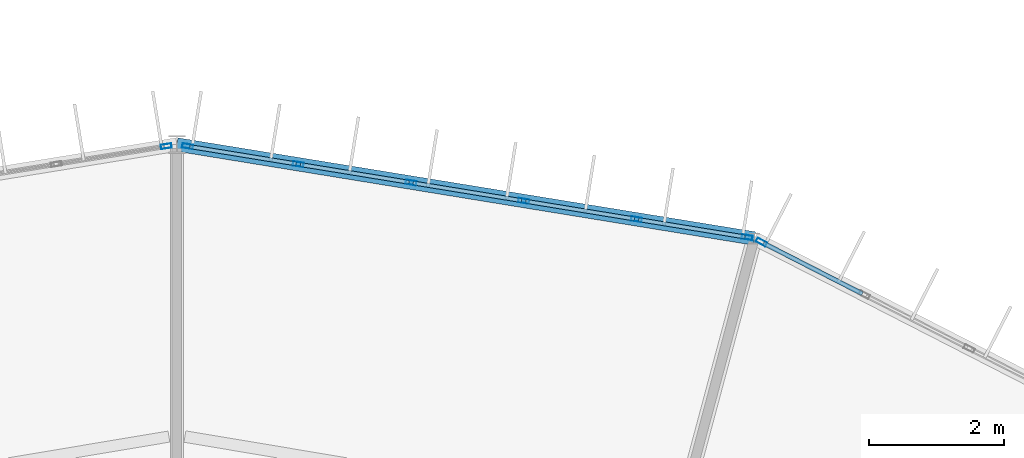
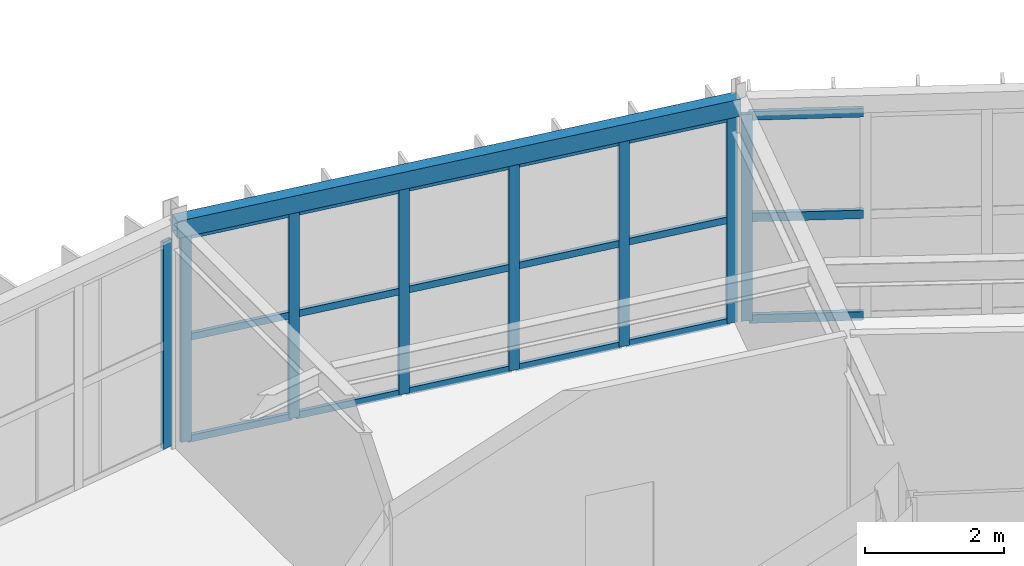
# One storey, part 82 of 134: 26 members, 1 beam, 3 elements without a shape of their own.
"""IFC4 building model written with IfcOpenShell, lengths in metres."""

import ifcopenshell
import ifcopenshell.guid

model = None  # the IFC model being written
_history = None  # IfcOwnerHistory: only IFC2X3 demands one
_inside = {}  # id of a spatial element -> (the spatial element, [elements in it])
_under = {}  # id of a project, library or spatial element -> (it, [spatial elements below it])
_declared = {}  # id of a project -> (the project, [libraries it declares])
_typed = {}  # id of a type object -> (the type object, [elements of that type])
_made_of = {}  # id of a material, layer set ... -> (it, [elements and type objects made of it])


def new_model(schema):
    """Start an empty IFC model of exactly this schema.

    Asked for "IFC4X3", IfcOpenShell would pick the latest addendum, in which some entities
    have other attributes; the version numbers below select the first issue.
    IFC2X3 requires an IfcOwnerHistory on every rooted entity: one is made here for all.
    """
    global model, _history
    if schema == "IFC4X3":
        model = ifcopenshell.file(schema_version=(4, 3, 0, 0))
    else:
        model = ifcopenshell.file(schema=schema)
    _inside.clear()
    _under.clear()
    _declared.clear()
    _typed.clear()
    _made_of.clear()
    _history = None
    if model.schema == "IFC2X3":
        org = make("IfcOrganization", Name="unknown")
        user = make(
            "IfcPersonAndOrganization",
            ThePerson=make("IfcPerson", FamilyName="unknown"),
            TheOrganization=org,
        )
        app = make(
            "IfcApplication",
            ApplicationDeveloper=org,
            Version="unknown",
            ApplicationFullName="unknown",
            ApplicationIdentifier="unknown",
        )
        _history = make(
            "IfcOwnerHistory",
            OwningUser=user,
            OwningApplication=app,
            ChangeAction="ADDED",
            CreationDate=0,
        )
    return model


def make(cls, **values):
    """One entity of the class cls with the attributes given. An attribute that is None is left unset."""
    return model.create_entity(
        cls, **{name: value for name, value in values.items() if value is not None}
    )


def rooted(cls, **values):
    """An entity with a GlobalId (a new one), such as an element, a storey or a relation."""
    return make(cls, GlobalId=ifcopenshell.guid.new(), OwnerHistory=_history, **values)


def si_unit(unit_type, name, prefix=None):
    """IfcSIUnit, for example si_unit("LENGTHUNIT", "METRE", prefix="MILLI")."""
    return make("IfcSIUnit", UnitType=unit_type, Prefix=prefix, Name=name)


def assignment(units):
    """IfcUnitAssignment: the units of a project."""
    return None if units is None else make("IfcUnitAssignment", Units=units)


def point(xyz):
    """IfcCartesianPoint."""
    return None if xyz is None else make("IfcCartesianPoint", Coordinates=xyz)


def direction(xyz):
    """IfcDirection."""
    return None if xyz is None else make("IfcDirection", DirectionRatios=xyz)


def frame(location, z_axis=None, x_axis=None):
    """IfcAxis2Placement3D, a coordinate frame: its origin and axes. An axis left out is left unset."""
    return make(
        "IfcAxis2Placement3D",
        Location=point(location),
        Axis=direction(z_axis),
        RefDirection=direction(x_axis),
    )


def frame_2d(location, x_axis=None):
    """IfcAxis2Placement2D, a coordinate frame in the plane: its origin and x axis."""
    return make(
        "IfcAxis2Placement2D", Location=point(location), RefDirection=direction(x_axis)
    )


def origin():
    """The frame at (0, 0, 0) with its axes left unset."""
    return frame((0.0, 0.0, 0.0))


def origin_2d():
    """The frame at (0, 0) in the plane with its x axis left unset."""
    return frame_2d((0.0, 0.0))


def place(relative_to, where):
    """IfcLocalPlacement: puts the frame where relative to a parent placement (None: the world)."""
    return make(
        "IfcLocalPlacement", PlacementRelTo=relative_to, RelativePlacement=where
    )


def context(
    kind, dimensions, precision=None, world=None, true_north=None, identifier=None
):
    """IfcGeometricRepresentationContext, for example the 3D "Model" context."""
    return make(
        "IfcGeometricRepresentationContext",
        ContextIdentifier=identifier,
        ContextType=kind,
        CoordinateSpaceDimension=dimensions,
        Precision=precision,
        WorldCoordinateSystem=world,
        TrueNorth=true_north,
    )


def subcontext(parent, identifier, kind, view, scale=None):
    """IfcGeometricRepresentationSubContext, for example "Body" below "Model"."""
    return make(
        "IfcGeometricRepresentationSubContext",
        ContextIdentifier=identifier,
        ContextType=kind,
        ParentContext=parent,
        TargetScale=scale,
        TargetView=view,
    )


def project(units=None, contexts=None):
    """IfcProject with its units and contexts."""
    return rooted(
        "IfcProject",
        Name="project",
        RepresentationContexts=contexts,
        UnitsInContext=assignment(units),
    )


def spatial(cls, under=None, at=None, **own):
    """A site, building, storey or space (cls), placed at a placement, below another one or the project."""
    s = rooted(cls, ObjectPlacement=at, **own)
    if under is not None:
        _under.setdefault(under.id(), (under, []))[1].append(s)
    return s


def profile(cls, at=None, kind="AREA", **sizes):
    """A parametric profile (cls). Its sizes go by their IFC names, for example OverallWidth=200.0."""
    return make(cls, ProfileType=kind, Position=at, **sizes)


def hollow_rectangle(**sizes):
    """IfcRectangleHollowProfileDef."""
    return profile("IfcRectangleHollowProfileDef", **sizes)


def extrude(swept, where, along, depth):
    """IfcExtrudedAreaSolid: the profile swept, set in the frame where, extruded along a direction by depth."""
    return make(
        "IfcExtrudedAreaSolid",
        SweptArea=swept,
        Position=where,
        ExtrudedDirection=direction(along),
        Depth=depth,
    )


def shape(context_of_items, identifier, shape_type, items):
    """IfcShapeRepresentation: the items that make up one representation, for example the "Body"."""
    return make(
        "IfcShapeRepresentation",
        ContextOfItems=context_of_items,
        RepresentationIdentifier=identifier,
        RepresentationType=shape_type,
        Items=items,
    )


def material(Name=None, Category=None):
    """IfcMaterial."""
    return make("IfcMaterial", Name=Name, Category=Category)


def material_profile(
    of_material, cross_section, Name=None, Category=None, Priority=None
):
    """IfcMaterialProfile: a cross section and its material."""
    return make(
        "IfcMaterialProfile",
        Name=Name,
        Material=of_material,
        Profile=cross_section,
        Priority=Priority,
        Category=Category,
    )


def profile_set(profiles, Name=None, composite=None):
    """IfcMaterialProfileSet."""
    return make(
        "IfcMaterialProfileSet",
        Name=Name,
        MaterialProfiles=profiles,
        CompositeProfile=composite,
    )


def made_of(thing, what):
    """Note that an element or type object is made of a material, layer set ...; save() writes the relation."""
    if what is not None:
        _made_of.setdefault(what.id(), (what, []))[1].append(thing)
    return thing


def type_object(cls, material=None, **own):
    """A type object (cls), such as IfcWallType, which elements share."""
    return made_of(rooted(cls, **own), material)


def element(
    cls,
    number,
    at=None,
    inside=None,
    cuts=None,
    type_object=None,
    material=None,
    context=None,
    identifier="Body",
    shape_type=None,
    held_by="IfcProductDefinitionShape",
    body=None,
    shapes=None,
    **own,
):
    """One element of the class cls, such as IfcWall. Its Tag is "e" and its number.

    at: its placement. inside: the storey or other place that contains it. cuts: it is an
    opening in that element (IfcRelVoidsElement). A single representation is given by context,
    identifier, shape_type and body (its items); several are given by shapes. held_by: the class
    of the entity that holds the representations. save() writes the other relations.
    """
    e = rooted(cls, Tag="e%d" % number, ObjectPlacement=at, **own)
    if body is not None:
        shapes = [shape(context, identifier, shape_type, body)]
    if shapes is not None:
        e.Representation = make(held_by, Representations=shapes)
    if inside is not None:
        _inside.setdefault(inside.id(), (inside, []))[1].append(e)
    if cuts is not None:
        rooted(
            "IfcRelVoidsElement", RelatingBuildingElement=cuts, RelatedOpeningElement=e
        )
    if type_object is not None:
        _typed.setdefault(type_object.id(), (type_object, []))[1].append(e)
    return made_of(e, material)


def aggregate(whole, parts):
    """IfcRelAggregates: a whole, such as a stair, and the parts it consists of."""
    return rooted("IfcRelAggregates", RelatingObject=whole, RelatedObjects=parts)


def save(model, path):
    """Write the relations noted so far, then the file.

    IfcRelAggregates (storeys below a building ...), IfcRelContainedInSpatialStructure (elements
    in a storey), IfcRelDefinesByType, IfcRelAssociatesMaterial and IfcRelDeclares: one each for
    every whole, place, type object, material and project.
    """
    for whole, parts in _under.values():
        aggregate(whole, parts)
    for where, things in _inside.values():
        rooted(
            "IfcRelContainedInSpatialStructure",
            RelatedElements=things,
            RelatingStructure=where,
        )
    for kind, things in _typed.values():
        rooted("IfcRelDefinesByType", RelatedObjects=things, RelatingType=kind)
    for what, things in _made_of.values():
        rooted("IfcRelAssociatesMaterial", RelatedObjects=things, RelatingMaterial=what)
    for by, libraries in _declared.values():
        rooted("IfcRelDeclares", RelatingContext=by, RelatedDefinitions=libraries)
    model.write(path)


model = new_model("IFC4")

# Units and contexts
model_context = context("Model", 3, precision=1e-05, world=origin(), true_north=direction((0.0, 1.0)))
body_context = subcontext(model_context, "Body", "Model", "MODEL_VIEW")
ifc_project = project(units=[si_unit("LENGTHUNIT", "METRE"), si_unit("AREAUNIT", "SQUARE_METRE"), si_unit("VOLUMEUNIT", "CUBIC_METRE"), si_unit("PLANEANGLEUNIT", "RADIAN"), si_unit("MASSUNIT", "GRAM", prefix="KILO")], contexts=[model_context])

# Site, building, storey
site_placement = place(None, origin())
site = spatial("IfcSite", under=ifc_project, at=site_placement, CompositionType="ELEMENT")
building_placement = place(site_placement, origin())
building = spatial("IfcBuilding", under=site, at=building_placement, Name="Karori Crest Natural Sciences Institute", CompositionType="ELEMENT")
storey_placement = place(building_placement, frame((0.0, 0.0, 21.699951171875)))
storey = spatial("IfcBuildingStorey", under=building, at=storey_placement, Name="L05", CompositionType="ELEMENT", Elevation=21.699951171875)

# Beam
ifc_material_1 = material(Name="Hollow structural steel AS/NZS 1163 Grade C350", Category="steel")
ifc_material_profile_1 = material_profile(ifc_material_1, hollow_rectangle(XDim=0.199951171875, YDim=0.300048828125, WallThickness=0.010009765625, at=origin_2d()), Name="RHS300x200x10")
ifc_profile_set_1 = profile_set([ifc_material_profile_1], Name="Hollow structural steel AS/NZS 1163 Grade C350")
beam_type = type_object("IfcBeamType", Name="BT-15", PredefinedType="SPANDREL", material=ifc_profile_set_1)
beam_placement = place(storey_placement, frame((74.94091796875, 89.309814453125, 3.7900390625), z_axis=(-0.987012055933, 0.160646199591, 0.0), x_axis=(-0.160646199591, -0.987012055933, 0.0)))
element("IfcBeam", 1, at=beam_placement, inside=storey, type_object=beam_type, Name="Beam B-0559", PredefinedType="SPANDREL", context=body_context, shape_type="SweptSolid", body=[
    extrude(hollow_rectangle(XDim=0.199951171875, YDim=0.300048828125, WallThickness=0.010009765625, at=origin_2d()), origin(), (0.0, 0.0, 1.0), 8.6533203125),
])

# Curtain wall, member
ifc_material_2 = material(Name="Anodised architectural aluminium 6063-T6", Category="aluminium")
curtain_wall_type_1 = type_object("IfcCurtainWallType", Name="CWT-05", PredefinedType="NOTDEFINED", material=ifc_material_2)
curtain_wall_1_placement = place(storey_placement, origin())
curtain_wall_1 = element("IfcCurtainWall", 2, at=curtain_wall_1_placement, inside=storey, type_object=curtain_wall_type_1, Name="Curtain wall CW-0178", PredefinedType="NOTDEFINED")
ifc_material_profile_2 = material_profile(ifc_material_2, hollow_rectangle(XDim=0.06494140625, YDim=0.159912109375, WallThickness=0.00390625, at=origin_2d()), Name="CWM160x65x4")
ifc_profile_set_2 = profile_set([ifc_material_profile_2], Name="Anodised architectural aluminium 6063-T6")
member_type_1 = type_object("IfcMemberType", Name="CWM-01", PredefinedType="MULLION", material=ifc_profile_set_2)
member_1_placement = place(storey_placement, frame((75.045166015625, 89.256591796875, 0.0), z_axis=(0.0, 0.0, 1.0), x_axis=(0.455828878252, 0.890067432138, 0.0)))
member_1 = element("IfcMember", 3, at=member_1_placement, type_object=member_type_1, Name="CW-0178 mullion 1", PredefinedType="MULLION", context=body_context, shape_type="SweptSolid", body=[
    extrude(hollow_rectangle(XDim=0.06494140625, YDim=0.159912109375, WallThickness=0.00390625, at=origin_2d()), origin(), (0.0, 0.0, 1.0), 3.625),
])

# Curtain wall, members
curtain_wall_type_2 = type_object("IfcCurtainWallType", Name="CWT-06", PredefinedType="NOTDEFINED", material=ifc_material_2)
curtain_wall_2_placement = place(storey_placement, origin())
curtain_wall_2 = element("IfcCurtainWall", 4, at=curtain_wall_2_placement, inside=storey, type_object=curtain_wall_type_2, Name="Curtain wall CW-0180", PredefinedType="NOTDEFINED")
member_2_placement = place(storey_placement, frame((66.55810546875, 90.67431640625, 0.0), z_axis=(0.0, 0.0, 1.0), x_axis=(0.160655493101, 0.987010543275, 0.0)))
member_2 = element("IfcMember", 5, at=member_2_placement, type_object=member_type_1, Name="CW-0180 mullion 1", PredefinedType="MULLION", context=body_context, shape_type="SweptSolid", body=[
    extrude(hollow_rectangle(XDim=0.06494140625, YDim=0.159912109375, WallThickness=0.00390625, at=origin_2d()), origin(), (0.0, 0.0, 1.0), 3.625),
])
member_3_placement = place(storey_placement, frame((68.194091796875, 90.407958984375, 0.0), z_axis=(0.0, 0.0, 1.0), x_axis=(0.160655493101, 0.987010543275, 0.0)))
member_3 = element("IfcMember", 6, at=member_3_placement, type_object=member_type_1, Name="CW-0180 mullion 2", PredefinedType="MULLION", context=body_context, shape_type="SweptSolid", body=[
    extrude(hollow_rectangle(XDim=0.06494140625, YDim=0.159912109375, WallThickness=0.00390625, at=origin_2d()), origin(), (0.0, 0.0, 1.0), 3.625),
])
member_4_placement = place(storey_placement, frame((69.862060546875, 90.136474609375, 0.0), z_axis=(0.0, 0.0, 1.0), x_axis=(0.160655493101, 0.987010543275, 0.0)))
member_4 = element("IfcMember", 7, at=member_4_placement, type_object=member_type_1, Name="CW-0180 mullion 3", PredefinedType="MULLION", context=body_context, shape_type="SweptSolid", body=[
    extrude(hollow_rectangle(XDim=0.06494140625, YDim=0.159912109375, WallThickness=0.00390625, at=origin_2d()), origin(), (0.0, 0.0, 1.0), 3.625),
])
member_5_placement = place(storey_placement, frame((71.530029296875, 89.864990234375, 0.0), z_axis=(0.0, 0.0, 1.0), x_axis=(0.160655493101, 0.987010543275, 0.0)))
member_5 = element("IfcMember", 8, at=member_5_placement, type_object=member_type_1, Name="CW-0180 mullion 4", PredefinedType="MULLION", context=body_context, shape_type="SweptSolid", body=[
    extrude(hollow_rectangle(XDim=0.06494140625, YDim=0.159912109375, WallThickness=0.00390625, at=origin_2d()), origin(), (0.0, 0.0, 1.0), 3.625),
])
member_6_placement = place(storey_placement, frame((73.197998046875, 89.593505859375, 0.0), z_axis=(0.0, 0.0, 1.0), x_axis=(0.160655493101, 0.987010543275, 0.0)))
member_6 = element("IfcMember", 9, at=member_6_placement, type_object=member_type_1, Name="CW-0180 mullion 5", PredefinedType="MULLION", context=body_context, shape_type="SweptSolid", body=[
    extrude(hollow_rectangle(XDim=0.06494140625, YDim=0.159912109375, WallThickness=0.00390625, at=origin_2d()), origin(), (0.0, 0.0, 1.0), 3.625),
])
member_7_placement = place(storey_placement, frame((74.833984375, 89.3271484375, 0.0), z_axis=(0.0, 0.0, 1.0), x_axis=(0.160655493101, 0.987010543275, 0.0)))
member_7 = element("IfcMember", 10, at=member_7_placement, type_object=member_type_1, Name="CW-0180 mullion 6", PredefinedType="MULLION", context=body_context, shape_type="SweptSolid", body=[
    extrude(hollow_rectangle(XDim=0.06494140625, YDim=0.159912109375, WallThickness=0.00390625, at=origin_2d()), origin(), (0.0, 0.0, 1.0), 3.625),
])

# Curtain wall, member
curtain_wall_type_3 = type_object("IfcCurtainWallType", Name="CWT-07", PredefinedType="NOTDEFINED", material=ifc_material_2)
curtain_wall_3_placement = place(storey_placement, origin())
curtain_wall_3 = element("IfcCurtainWall", 11, at=curtain_wall_3_placement, inside=storey, type_object=curtain_wall_type_3, Name="Curtain wall CW-0181", PredefinedType="NOTDEFINED")
member_8_placement = place(storey_placement, frame((66.241943359375, 90.67431640625, 0.0), z_axis=(0.0, 0.0, 1.0), x_axis=(-0.160650246484, 0.987011397252, 0.0)))
member_8 = element("IfcMember", 12, at=member_8_placement, type_object=member_type_1, Name="CW-0181 mullion 6", PredefinedType="MULLION", context=body_context, shape_type="SweptSolid", body=[
    extrude(hollow_rectangle(XDim=0.06494140625, YDim=0.159912109375, WallThickness=0.00390625, at=origin_2d()), origin(), (0.0, 0.0, 1.0), 3.625),
])
aggregate(curtain_wall_3, [member_8])

# Member
ifc_material_profile_3 = material_profile(ifc_material_2, hollow_rectangle(XDim=0.06005859375, YDim=0.1201171875, WallThickness=0.00390625, at=origin_2d()), Name="CWT120x60x4")
ifc_profile_set_3 = profile_set([ifc_material_profile_3], Name="Anodised architectural aluminium 6063-T6")
member_type_2 = type_object("IfcMemberType", Name="CWT-TR1", PredefinedType="USERDEFINED", material=ifc_profile_set_3)
member_9_placement = place(storey_placement, frame((66.590087890625, 90.6689453125, 0.030029296875), z_axis=(0.987032702113, -0.160519297781, 0.0), x_axis=(0.160519297781, 0.987032702113, 0.0)))
member_9 = element("IfcMember", 13, at=member_9_placement, type_object=member_type_2, Name="CW-0180 transom 1.1", ObjectType="TRANSOM", PredefinedType="USERDEFINED", context=body_context, shape_type="SweptSolid", body=[
    extrude(hollow_rectangle(XDim=0.06005859375, YDim=0.1201171875, WallThickness=0.00390625, at=origin_2d()), origin(), (0.0, 0.0, 1.0), 1.592529296875),
])

member_10_placement = place(storey_placement, frame((66.590087890625, 90.6689453125, 1.8125), z_axis=(0.987032702113, -0.160519297781, 0.0), x_axis=(0.160519297781, 0.987032702113, 0.0)))
member_10 = element("IfcMember", 14, at=member_10_placement, type_object=member_type_2, Name="CW-0180 transom 1.2", ObjectType="TRANSOM", PredefinedType="USERDEFINED", context=body_context, shape_type="SweptSolid", body=[
    extrude(hollow_rectangle(XDim=0.06005859375, YDim=0.1201171875, WallThickness=0.00390625, at=origin_2d()), origin(), (0.0, 0.0, 1.0), 1.592529296875),
])

member_11_placement = place(storey_placement, frame((66.590087890625, 90.6689453125, 3.594970703125), z_axis=(0.987032702113, -0.160519297781, 0.0), x_axis=(0.160519297781, 0.987032702113, 0.0)))
member_11 = element("IfcMember", 15, at=member_11_placement, type_object=member_type_2, Name="CW-0180 transom 1.3", ObjectType="TRANSOM", PredefinedType="USERDEFINED", context=body_context, shape_type="SweptSolid", body=[
    extrude(hollow_rectangle(XDim=0.06005859375, YDim=0.1201171875, WallThickness=0.00390625, at=origin_2d()), origin(), (0.0, 0.0, 1.0), 1.592529296875),
])

member_12_placement = place(storey_placement, frame((68.22607421875, 90.40283203125, 0.030029296875), z_axis=(0.98699230398, -0.160767508793, 0.0), x_axis=(0.160767508793, 0.98699230398, 0.0)))
member_12 = element("IfcMember", 16, at=member_12_placement, type_object=member_type_2, Name="CW-0180 transom 2.1", ObjectType="TRANSOM", PredefinedType="USERDEFINED", context=body_context, shape_type="SweptSolid", body=[
    extrude(hollow_rectangle(XDim=0.06005859375, YDim=0.1201171875, WallThickness=0.00390625, at=origin_2d()), origin(), (0.0, 0.0, 1.0), 1.625),
])

member_13_placement = place(storey_placement, frame((68.22607421875, 90.40283203125, 1.8125), z_axis=(0.98699230398, -0.160767508793, 0.0), x_axis=(0.160767508793, 0.98699230398, 0.0)))
member_13 = element("IfcMember", 17, at=member_13_placement, type_object=member_type_2, Name="CW-0180 transom 2.2", ObjectType="TRANSOM", PredefinedType="USERDEFINED", context=body_context, shape_type="SweptSolid", body=[
    extrude(hollow_rectangle(XDim=0.06005859375, YDim=0.1201171875, WallThickness=0.00390625, at=origin_2d()), origin(), (0.0, 0.0, 1.0), 1.625),
])

member_14_placement = place(storey_placement, frame((68.22607421875, 90.40283203125, 3.594970703125), z_axis=(0.98699230398, -0.160767508793, 0.0), x_axis=(0.160767508793, 0.98699230398, 0.0)))
member_14 = element("IfcMember", 18, at=member_14_placement, type_object=member_type_2, Name="CW-0180 transom 2.3", ObjectType="TRANSOM", PredefinedType="USERDEFINED", context=body_context, shape_type="SweptSolid", body=[
    extrude(hollow_rectangle(XDim=0.06005859375, YDim=0.1201171875, WallThickness=0.00390625, at=origin_2d()), origin(), (0.0, 0.0, 1.0), 1.625),
])

member_15_placement = place(storey_placement, frame((69.89404296875, 90.13134765625, 0.030029296875), z_axis=(0.98699230398, -0.160767508793, 0.0), x_axis=(0.160767508793, 0.98699230398, 0.0)))
member_15 = element("IfcMember", 19, at=member_15_placement, type_object=member_type_2, Name="CW-0180 transom 3.1", ObjectType="TRANSOM", PredefinedType="USERDEFINED", context=body_context, shape_type="SweptSolid", body=[
    extrude(hollow_rectangle(XDim=0.06005859375, YDim=0.1201171875, WallThickness=0.00390625, at=origin_2d()), origin(), (0.0, 0.0, 1.0), 1.625),
])

member_16_placement = place(storey_placement, frame((69.89404296875, 90.13134765625, 1.8125), z_axis=(0.98699230398, -0.160767508793, 0.0), x_axis=(0.160767508793, 0.98699230398, 0.0)))
member_16 = element("IfcMember", 20, at=member_16_placement, type_object=member_type_2, Name="CW-0180 transom 3.2", ObjectType="TRANSOM", PredefinedType="USERDEFINED", context=body_context, shape_type="SweptSolid", body=[
    extrude(hollow_rectangle(XDim=0.06005859375, YDim=0.1201171875, WallThickness=0.00390625, at=origin_2d()), origin(), (0.0, 0.0, 1.0), 1.625),
])

member_17_placement = place(storey_placement, frame((69.89404296875, 90.13134765625, 3.594970703125), z_axis=(0.98699230398, -0.160767508793, 0.0), x_axis=(0.160767508793, 0.98699230398, 0.0)))
member_17 = element("IfcMember", 21, at=member_17_placement, type_object=member_type_2, Name="CW-0180 transom 3.3", ObjectType="TRANSOM", PredefinedType="USERDEFINED", context=body_context, shape_type="SweptSolid", body=[
    extrude(hollow_rectangle(XDim=0.06005859375, YDim=0.1201171875, WallThickness=0.00390625, at=origin_2d()), origin(), (0.0, 0.0, 1.0), 1.625),
])

member_18_placement = place(storey_placement, frame((71.56201171875, 89.85986328125, 0.030029296875), z_axis=(0.986996186507, -0.160743671166, 0.0), x_axis=(0.160743671166, 0.986996186507, 0.0)))
member_18 = element("IfcMember", 22, at=member_18_placement, type_object=member_type_2, Name="CW-0180 transom 4.1", ObjectType="TRANSOM", PredefinedType="USERDEFINED", context=body_context, shape_type="SweptSolid", body=[
    extrude(hollow_rectangle(XDim=0.06005859375, YDim=0.1201171875, WallThickness=0.00390625, at=origin_2d()), origin(), (0.0, 0.0, 1.0), 1.625244140625),
])

member_19_placement = place(storey_placement, frame((71.56201171875, 89.85986328125, 1.8125), z_axis=(0.986996186507, -0.160743671166, 0.0), x_axis=(0.160743671166, 0.986996186507, 0.0)))
member_19 = element("IfcMember", 23, at=member_19_placement, type_object=member_type_2, Name="CW-0180 transom 4.2", ObjectType="TRANSOM", PredefinedType="USERDEFINED", context=body_context, shape_type="SweptSolid", body=[
    extrude(hollow_rectangle(XDim=0.06005859375, YDim=0.1201171875, WallThickness=0.00390625, at=origin_2d()), origin(), (0.0, 0.0, 1.0), 1.625244140625),
])

member_20_placement = place(storey_placement, frame((71.56201171875, 89.85986328125, 3.594970703125), z_axis=(0.986996186507, -0.160743671166, 0.0), x_axis=(0.160743671166, 0.986996186507, 0.0)))
member_20 = element("IfcMember", 24, at=member_20_placement, type_object=member_type_2, Name="CW-0180 transom 4.3", ObjectType="TRANSOM", PredefinedType="USERDEFINED", context=body_context, shape_type="SweptSolid", body=[
    extrude(hollow_rectangle(XDim=0.06005859375, YDim=0.1201171875, WallThickness=0.00390625, at=origin_2d()), origin(), (0.0, 0.0, 1.0), 1.625244140625),
])

member_21_placement = place(storey_placement, frame((73.22998046875, 89.58837890625, 0.030029296875), z_axis=(0.987008400747, -0.16066865548, 0.0), x_axis=(0.16066865548, 0.987008400747, 0.0)))
member_21 = element("IfcMember", 25, at=member_21_placement, type_object=member_type_2, Name="CW-0180 transom 5.1", ObjectType="TRANSOM", PredefinedType="USERDEFINED", context=body_context, shape_type="SweptSolid", body=[
    extrude(hollow_rectangle(XDim=0.06005859375, YDim=0.1201171875, WallThickness=0.00390625, at=origin_2d()), origin(), (0.0, 0.0, 1.0), 1.592529296875),
])

member_22_placement = place(storey_placement, frame((73.22998046875, 89.58837890625, 1.8125), z_axis=(0.987008400747, -0.16066865548, 0.0), x_axis=(0.16066865548, 0.987008400747, 0.0)))
member_22 = element("IfcMember", 26, at=member_22_placement, type_object=member_type_2, Name="CW-0180 transom 5.2", ObjectType="TRANSOM", PredefinedType="USERDEFINED", context=body_context, shape_type="SweptSolid", body=[
    extrude(hollow_rectangle(XDim=0.06005859375, YDim=0.1201171875, WallThickness=0.00390625, at=origin_2d()), origin(), (0.0, 0.0, 1.0), 1.592529296875),
])

member_23_placement = place(storey_placement, frame((73.22998046875, 89.58837890625, 3.594970703125), z_axis=(0.987008400747, -0.16066865548, 0.0), x_axis=(0.16066865548, 0.987008400747, 0.0)))
member_23 = element("IfcMember", 27, at=member_23_placement, type_object=member_type_2, Name="CW-0180 transom 5.3", ObjectType="TRANSOM", PredefinedType="USERDEFINED", context=body_context, shape_type="SweptSolid", body=[
    extrude(hollow_rectangle(XDim=0.06005859375, YDim=0.1201171875, WallThickness=0.00390625, at=origin_2d()), origin(), (0.0, 0.0, 1.0), 1.592529296875),
])

aggregate(curtain_wall_2, [member_2, member_3, member_4, member_5, member_6, member_7, member_9, member_10, member_11, member_12, member_13, member_14, member_15, member_16, member_17, member_18, member_19, member_20, member_21, member_22, member_23])

ifc_material_profile_4 = material_profile(ifc_material_2, hollow_rectangle(XDim=0.06494140625, YDim=0.14990234375, WallThickness=0.00390625, at=origin_2d()), Name="CWT150x65x4")
ifc_profile_set_4 = profile_set([ifc_material_profile_4], Name="Anodised architectural aluminium 6063-T6")
member_type_3 = type_object("IfcMemberType", Name="CWT-TR2", PredefinedType="USERDEFINED", material=ifc_profile_set_4)
member_24_placement = place(storey_placement, frame((75.073974609375, 89.24169921875, 0.032470703125), z_axis=(0.890084461025, -0.455795625518, 0.0), x_axis=(0.455795625518, 0.890084461025, 0.0)))
member_24 = element("IfcMember", 28, at=member_24_placement, type_object=member_type_3, Name="CW-0178 transom 1.1", ObjectType="TRANSOM", PredefinedType="USERDEFINED", context=body_context, shape_type="SweptSolid", body=[
    extrude(hollow_rectangle(XDim=0.06494140625, YDim=0.14990234375, WallThickness=0.00390625, at=origin_2d()), origin(), (0.0, 0.0, 1.0), 1.64599609375),
])

member_25_placement = place(storey_placement, frame((75.073974609375, 89.24169921875, 1.8125), z_axis=(0.890084461025, -0.455795625518, 0.0), x_axis=(0.455795625518, 0.890084461025, 0.0)))
member_25 = element("IfcMember", 29, at=member_25_placement, type_object=member_type_3, Name="CW-0178 transom 1.2", ObjectType="TRANSOM", PredefinedType="USERDEFINED", context=body_context, shape_type="SweptSolid", body=[
    extrude(hollow_rectangle(XDim=0.06494140625, YDim=0.14990234375, WallThickness=0.00390625, at=origin_2d()), origin(), (0.0, 0.0, 1.0), 1.64599609375),
])

member_26_placement = place(storey_placement, frame((75.073974609375, 89.24169921875, 3.592529296875), z_axis=(0.890084461025, -0.455795625518, 0.0), x_axis=(0.455795625518, 0.890084461025, 0.0)))
member_26 = element("IfcMember", 30, at=member_26_placement, type_object=member_type_3, Name="CW-0178 transom 1.3", ObjectType="TRANSOM", PredefinedType="USERDEFINED", context=body_context, shape_type="SweptSolid", body=[
    extrude(hollow_rectangle(XDim=0.06494140625, YDim=0.14990234375, WallThickness=0.00390625, at=origin_2d()), origin(), (0.0, 0.0, 1.0), 1.64599609375),
])

aggregate(curtain_wall_1, [member_1, member_24, member_25, member_26])

save(model, "model.ifc")
